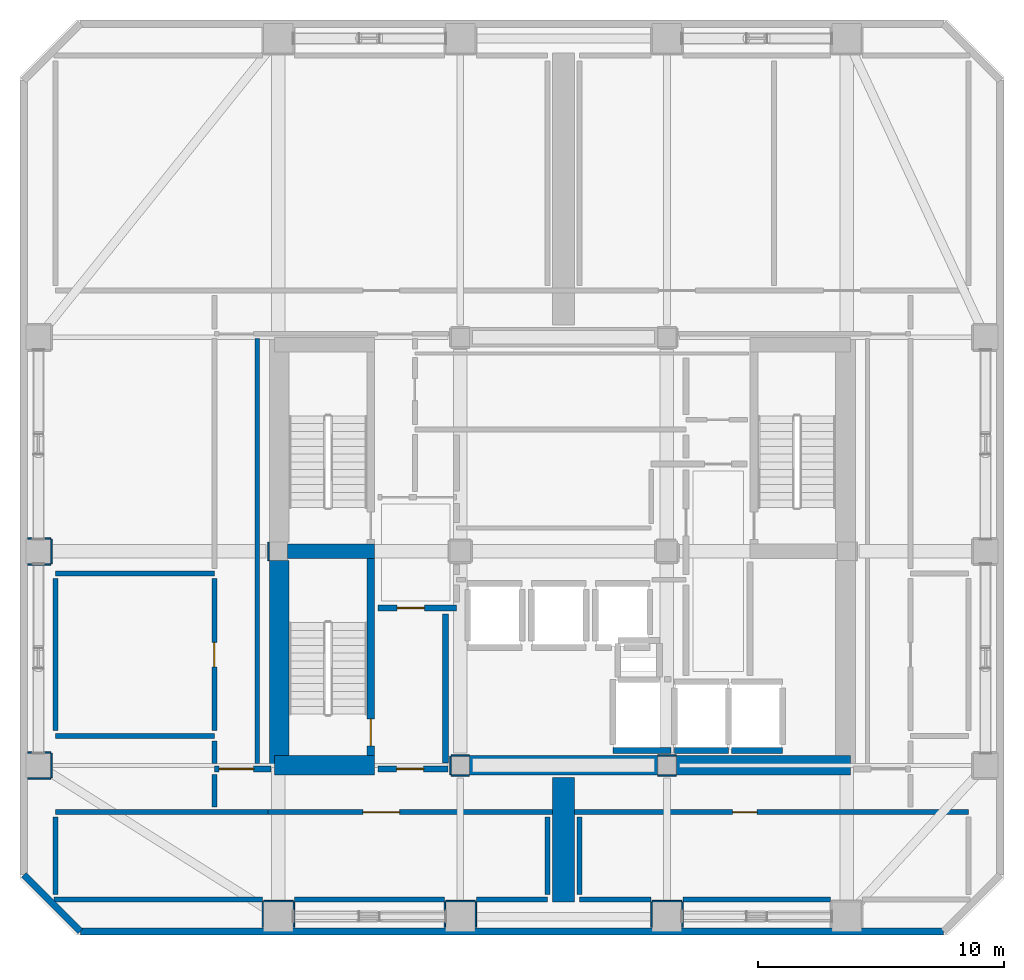
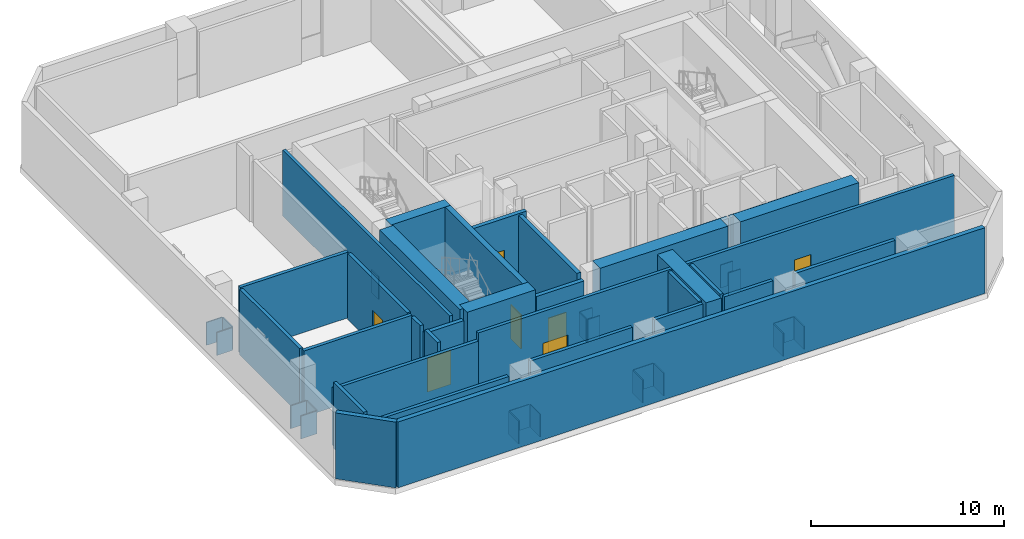
# One storey, part 8 of 12: 54 walls, 7 doors, 7 openings.
"""IFC4 building model written with IfcOpenShell, lengths in metres."""

from ifc_helpers import new_model, si_unit, direction, frame, frame_2d, origin, place, context, subcontext, project, spatial, rectangle, extrude, material, layer, layer_set, type_object, element, fill, save


model = new_model("IFC4")

# Units and contexts
model_context = context("Model", 3, precision=1e-05, world=origin(), true_north=direction((0.0, 1.0)))
body_context = subcontext(model_context, "Body", "Model", "MODEL_VIEW")
ifc_project = project(units=[si_unit("LENGTHUNIT", "METRE"), si_unit("AREAUNIT", "SQUARE_METRE"), si_unit("VOLUMEUNIT", "CUBIC_METRE"), si_unit("PLANEANGLEUNIT", "RADIAN"), si_unit("MASSUNIT", "GRAM", prefix="KILO")], contexts=[model_context])

# Site, building, storey
site_placement = place(None, origin())
site = spatial("IfcSite", under=ifc_project, at=site_placement, CompositionType="ELEMENT")
building_placement = place(site_placement, origin())
building = spatial("IfcBuilding", under=site, at=building_placement, Name="Solanera Arch Residences", CompositionType="ELEMENT")
storey_placement = place(building_placement, frame((0.0, 0.0, 172.47998046875)))
storey = spatial("IfcBuildingStorey", under=building, at=storey_placement, Name="L50", CompositionType="ELEMENT", Elevation=172.47998046875)

# Walls
ifc_material_1 = material(Name="Fire-Rated Gypsum Stud Partition", Category="gypsum")
ifc_layer_1 = layer(ifc_material_1, 0.06005859375)
ifc_layer_set_1 = layer_set([ifc_layer_1], Name="Fire-Rated Gypsum Stud Partition")
wall_type_1 = type_object("IfcWallType", Name="Column Acoustic Furring Wall 60", PredefinedType="PARTITIONING", material=ifc_layer_set_1)
for number, where, z_axis, x_axis, name in (
    (1, (20.425048828125, 21.593017578125, 0.0), (0.0, 0.0, 1.0), (1.0, 0.0, 0.0), "L50 Column Furring 1S"),
    (2, (20.425048828125, 22.406982421875, 0.0), (0.0, 0.0, 1.0), (1.0, 0.0, 0.0), "L50 Column Furring 1N"),
):
    element("IfcWall", number, at=place(storey_placement, frame(where, z_axis=z_axis, x_axis=x_axis)), inside=storey, type_object=wall_type_1, Name=name, PredefinedType="PARTITIONING", context=body_context, shape_type="SweptSolid", body=[
        extrude(rectangle(XDim=0.741943359375, YDim=0.06005859375, at=frame_2d((0.37109375, 0.0))), origin(), (0.0, 0.0, 1.0), 1.449951171875),
    ])
wall_1_placement = place(storey_placement, frame((20.39306640625, 21.625, 0.0), z_axis=(0.0, 0.0, 1.0), x_axis=(0.0, 1.0, 0.0)))
element("IfcWall", 3, at=wall_1_placement, inside=storey, type_object=wall_type_1, Name="L50 Column Furring 1W", PredefinedType="PARTITIONING", context=body_context, shape_type="SweptSolid", body=[
    extrude(rectangle(XDim=0.75, YDim=0.06005859375, at=frame_2d((0.375, 0.0))), origin(), (0.0, 0.0, 1.0), 1.449951171875),
])
for number, where, z_axis, x_axis, name in (
    (4, (28.8330078125, 21.593017578125, 0.0), (0.0, 0.0, 1.0), (1.0, 0.0, 0.0), "L50 Column Furring 2S"),
    (5, (28.8330078125, 22.406982421875, 0.0), (0.0, 0.0, 1.0), (1.0, 0.0, 0.0), "L50 Column Furring 2N"),
):
    element("IfcWall", number, at=place(storey_placement, frame(where, z_axis=z_axis, x_axis=x_axis)), inside=storey, type_object=wall_type_1, Name=name, PredefinedType="PARTITIONING", context=body_context, shape_type="SweptSolid", body=[
        extrude(rectangle(XDim=0.73388671875, YDim=0.06005859375, at=frame_2d((0.366943359375, 0.0))), origin(), (0.0, 0.0, 1.0), 1.449951171875),
    ])
wall_2_placement = place(storey_placement, frame((12.992919921875, 30.324951171875, 0.0), z_axis=(0.0, 0.0, 1.0), x_axis=(0.0, 1.0, 0.0)))
element("IfcWall", 6, at=wall_2_placement, inside=storey, type_object=wall_type_1, Name="L50 Column Furring 5W", PredefinedType="PARTITIONING", context=body_context, shape_type="SweptSolid", body=[
    extrude(rectangle(XDim=0.75, YDim=0.06005859375, at=frame_2d((0.375, 0.0))), origin(), (0.0, 0.0, 1.0), 1.449951171875),
])
wall_3_placement = place(storey_placement, frame((12.800048828125, 16.48193359375, 0.0), z_axis=(0.0, 0.0, 1.0), x_axis=(1.0, 0.0, 0.0)))
element("IfcWall", 7, at=wall_3_placement, inside=storey, type_object=wall_type_1, Name="L50 Column Furring 9N", PredefinedType="PARTITIONING", context=body_context, shape_type="SweptSolid", body=[
    extrude(rectangle(XDim=1.199951171875, YDim=0.06005859375, at=frame_2d((0.60009765625, 0.0))), origin(), (0.0, 0.0, 1.0), 1.449951171875),
])
for number, where, z_axis, x_axis, name in (
    (8, (12.76806640625, 15.409912109375, 0.0), (0.0, 0.0, 1.0), (0.0, 1.0, 0.0), "L50 Column Furring 9W"),
    (9, (14.031982421875, 15.409912109375, 0.0), (0.0, 0.0, 1.0), (0.0, 1.0, 0.0), "L50 Column Furring 9E"),
):
    element("IfcWall", number, at=place(storey_placement, frame(where, z_axis=z_axis, x_axis=x_axis)), inside=storey, type_object=wall_type_1, Name=name, PredefinedType="PARTITIONING", context=body_context, shape_type="SweptSolid", body=[
        extrude(rectangle(XDim=1.0400390625, YDim=0.06005859375, at=frame_2d((0.52001953125, 0.0))), origin(), (0.0, 0.0, 1.0), 1.449951171875),
    ])
wall_4_placement = place(storey_placement, frame((20.199951171875, 16.48193359375, 0.0), z_axis=(0.0, 0.0, 1.0), x_axis=(1.0, 0.0, 0.0)))
element("IfcWall", 10, at=wall_4_placement, inside=storey, type_object=wall_type_1, Name="L50 Column Furring 11N", PredefinedType="PARTITIONING", context=body_context, shape_type="SweptSolid", body=[
    extrude(rectangle(XDim=1.199951171875, YDim=0.06005859375, at=frame_2d((0.60009765625, 0.0))), origin(), (0.0, 0.0, 1.0), 1.449951171875),
])
for number, where, z_axis, x_axis, name in (
    (11, (20.16796875, 15.409912109375, 0.0), (0.0, 0.0, 1.0), (0.0, 1.0, 0.0), "L50 Column Furring 11W"),
    (12, (21.431884765625, 15.409912109375, 0.0), (0.0, 0.0, 1.0), (0.0, 1.0, 0.0), "L50 Column Furring 11E"),
):
    element("IfcWall", number, at=place(storey_placement, frame(where, z_axis=z_axis, x_axis=x_axis)), inside=storey, type_object=wall_type_1, Name=name, PredefinedType="PARTITIONING", context=body_context, shape_type="SweptSolid", body=[
        extrude(rectangle(XDim=1.0400390625, YDim=0.06005859375, at=frame_2d((0.52001953125, 0.0))), origin(), (0.0, 0.0, 1.0), 1.449951171875),
    ])
wall_5_placement = place(storey_placement, frame((28.60009765625, 16.48193359375, 0.0), z_axis=(0.0, 0.0, 1.0), x_axis=(1.0, 0.0, 0.0)))
element("IfcWall", 13, at=wall_5_placement, inside=storey, type_object=wall_type_1, Name="L50 Column Furring 13N", PredefinedType="PARTITIONING", context=body_context, shape_type="SweptSolid", body=[
    extrude(rectangle(XDim=1.199951171875, YDim=0.06005859375, at=frame_2d((0.60009765625, 0.0))), origin(), (0.0, 0.0, 1.0), 1.449951171875),
])
for number, where, z_axis, x_axis, name in (
    (14, (28.568115234375, 15.409912109375, 0.0), (0.0, 0.0, 1.0), (0.0, 1.0, 0.0), "L50 Column Furring 13W"),
    (15, (29.83203125, 15.409912109375, 0.0), (0.0, 0.0, 1.0), (0.0, 1.0, 0.0), "L50 Column Furring 13E"),
):
    element("IfcWall", number, at=place(storey_placement, frame(where, z_axis=z_axis, x_axis=x_axis)), inside=storey, type_object=wall_type_1, Name=name, PredefinedType="PARTITIONING", context=body_context, shape_type="SweptSolid", body=[
        extrude(rectangle(XDim=1.0400390625, YDim=0.06005859375, at=frame_2d((0.52001953125, 0.0))), origin(), (0.0, 0.0, 1.0), 1.449951171875),
    ])
for number, where, z_axis, x_axis, name in (
    (16, (3.2099609375, 21.468017578125, 0.0), (0.0, 0.0, 1.0), (1.0, 0.0, 0.0), "L50 Column Furring 17S"),
    (17, (3.2099609375, 22.531982421875, 0.0), (0.0, 0.0, 1.0), (1.0, 0.0, 0.0), "L50 Column Furring 17N"),
):
    element("IfcWall", number, at=place(storey_placement, frame(where, z_axis=z_axis, x_axis=x_axis)), inside=storey, type_object=wall_type_1, Name=name, PredefinedType="PARTITIONING", context=body_context, shape_type="SweptSolid", body=[
        extrude(rectangle(XDim=0.93994140625, YDim=0.06005859375, at=frame_2d((0.469970703125, 0.0))), origin(), (0.0, 0.0, 1.0), 1.449951171875),
    ])
wall_6_placement = place(storey_placement, frame((4.181884765625, 21.5, 0.0), z_axis=(0.0, 0.0, 1.0), x_axis=(0.0, 1.0, 0.0)))
element("IfcWall", 18, at=wall_6_placement, inside=storey, type_object=wall_type_1, Name="L50 Column Furring 17E", PredefinedType="PARTITIONING", context=body_context, shape_type="SweptSolid", body=[
    extrude(rectangle(XDim=1.0, YDim=0.06005859375, at=frame_2d((0.5, 0.0))), origin(), (0.0, 0.0, 1.0), 1.449951171875),
])
for number, where, z_axis, x_axis, name in (
    (19, (3.2099609375, 30.16796875, 0.0), (0.0, 0.0, 1.0), (1.0, 0.0, 0.0), "L50 Column Furring 19S"),
    (20, (3.2099609375, 31.23193359375, 0.0), (0.0, 0.0, 1.0), (1.0, 0.0, 0.0), "L50 Column Furring 19N"),
):
    element("IfcWall", number, at=place(storey_placement, frame(where, z_axis=z_axis, x_axis=x_axis)), inside=storey, type_object=wall_type_1, Name=name, PredefinedType="PARTITIONING", context=body_context, shape_type="SweptSolid", body=[
        extrude(rectangle(XDim=0.93994140625, YDim=0.06005859375, at=frame_2d((0.469970703125, 0.0))), origin(), (0.0, 0.0, 1.0), 1.449951171875),
    ])
wall_7_placement = place(storey_placement, frame((4.181884765625, 30.199951171875, 0.0), z_axis=(0.0, 0.0, 1.0), x_axis=(0.0, 1.0, 0.0)))
element("IfcWall", 21, at=wall_7_placement, inside=storey, type_object=wall_type_1, Name="L50 Column Furring 19E", PredefinedType="PARTITIONING", context=body_context, shape_type="SweptSolid", body=[
    extrude(rectangle(XDim=1.0, YDim=0.06005859375, at=frame_2d((0.5, 0.0))), origin(), (0.0, 0.0, 1.0), 1.449951171875),
])

# Wall, opening, door
ifc_material_2 = material(Name="Concrete C40/50 (f'c = 45 MPa)", Category="concrete")
ifc_layer_2 = layer(ifc_material_2, 0.320068359375)
ifc_layer_set_2 = layer_set([ifc_layer_2], Name="Concrete C40/50 (f'c = 45 MPa)")
wall_type_2 = type_object("IfcWallType", Name="Core Shear Wall CW-320", PredefinedType="SHEAR", material=ifc_layer_set_2)
wall_8_placement = place(storey_placement, frame((17.159912109375, 22.39990234375, 0.0), z_axis=(0.0, 0.0, 1.0), x_axis=(0.0, 1.0, 0.0)))
wall_8 = element("IfcWall", 22, at=wall_8_placement, inside=storey, type_object=wall_type_2, Name="L50 Stair ST-T3 East Shear Wall", PredefinedType="SHEAR", context=body_context, shape_type="SweptSolid", body=[
    extrude(rectangle(XDim=8.0, YDim=0.320068359375, at=frame_2d((4.0, 0.0))), origin(), (0.0, 0.0, 1.0), 4.39990234375),
])
opening_1_placement = place(wall_8_placement, frame((0.389892578125, 0.0, 0.0)))
opening_1 = element("IfcOpeningElement", 23, at=opening_1_placement, cuts=wall_8, Name="Opening DF-01", PredefinedType="OPENING", context=body_context, shape_type="SweptSolid", body=[
    extrude(rectangle(XDim=1.10009765625, YDim=2.14990234375, at=frame_2d((0.550048828125, 1.074951171875))), frame((0.0, 0.169921875, 0.0), z_axis=(0.0, -1.0, 0.0), x_axis=(1.0, 0.0, 0.0)), (0.0, 0.0, 1.0), 0.3401),
])
ifc_material_3 = material(Name="Fire-Rated Architectural Hardwood", Category="wood")
door_type_1 = type_object("IfcDoorType", Name="Stair Exit Fire Door DF-01", OperationType="NOTDEFINED", PredefinedType="DOOR", material=ifc_material_3)
door_1_placement = place(opening_1_placement, origin())
door_1 = element("IfcDoor", 24, at=door_1_placement, inside=storey, type_object=door_type_1, Name="DR-L50-STAIR-ST-T3", OperationType="SINGLE_SWING_RIGHT", OverallHeight=2.14990234375, OverallWidth=1.10009765625, PredefinedType="DOOR", context=body_context, shape_type="SweptSolid", body=[
    extrude(rectangle(XDim=1.10009765625, YDim=2.14990234375, at=frame_2d((0.550048828125, 1.074951171875))), frame((0.0, 0.02490234375, 0.0), z_axis=(0.0, -1.0, 0.0), x_axis=(1.0, 0.0, 0.0)), (0.0, 0.0, 1.0), 0.050048828125),
])
fill(opening_1, door_1)

# Walls
ifc_material_4 = material(Name="Concrete C40/50 (f'c = 45 MPa)", Category="concrete")
ifc_layer_3 = layer(ifc_material_4, 0.60009765625)
ifc_layer_set_3 = layer_set([ifc_layer_3], Name="Concrete C40/50 (f'c = 45 MPa)")
wall_type_3 = type_object("IfcWallType", Name="Core Shear Wall CW-600", PredefinedType="SHEAR", material=ifc_layer_set_3)
wall_9_placement = place(storey_placement, frame((13.780029296875, 30.699951171875, 0.0), z_axis=(0.0, 0.0, 1.0), x_axis=(1.0, 0.0, 0.0)))
element("IfcWall", 25, at=wall_9_placement, inside=storey, type_object=wall_type_3, Name="L50 West Stair Divider Shear Wall", PredefinedType="SHEAR", context=body_context, shape_type="SweptSolid", body=[
    extrude(rectangle(XDim=3.5400390625, YDim=0.60009765625, at=frame_2d((1.77001953125, 0.0))), origin(), (0.0, 0.0, 1.0), 4.39990234375),
])
ifc_material_5 = material(Name="Concrete C40/50 (f'c = 45 MPa)", Category="concrete")
ifc_layer_4 = layer(ifc_material_5, 0.800048828125)
ifc_layer_set_4 = layer_set([ifc_layer_4], Name="Concrete C40/50 (f'c = 45 MPa)")
wall_type_4 = type_object("IfcWallType", Name="Core Shear Wall CW-800", PredefinedType="SHEAR", material=ifc_layer_set_4)
wall_10_placement = place(storey_placement, frame((13.43994140625, 22.0, 0.0), z_axis=(0.0, 0.0, 1.0), x_axis=(0.0, 1.0, 0.0)))
element("IfcWall", 26, at=wall_10_placement, inside=storey, type_object=wall_type_4, Name="L50 West Core South Shear Wall", PredefinedType="SHEAR", context=body_context, shape_type="SweptSolid", body=[
    extrude(rectangle(XDim=8.320068359375, YDim=0.800048828125, at=frame_2d((4.16015625, 0.0))), origin(), (0.0, 0.0, 1.0), 4.39990234375),
])
wall_11_placement = place(storey_placement, frame((13.239990234375, 22.0, 0.0), z_axis=(0.0, 0.0, 1.0), x_axis=(1.0, 0.0, 0.0)))
element("IfcWall", 27, at=wall_11_placement, inside=storey, type_object=wall_type_4, Name="L50 South-West Core Shear Wall", PredefinedType="SHEAR", context=body_context, shape_type="SweptSolid", body=[
    extrude(rectangle(XDim=4.080078125, YDim=0.800048828125, at=frame_2d((2.0400390625, 0.0))), origin(), (0.0, 0.0, 1.0), 4.39990234375),
])
wall_12_placement = place(storey_placement, frame((29.580078125, 22.0, 0.0), z_axis=(0.0, 0.0, 1.0), x_axis=(1.0, 0.0, 0.0)))
element("IfcWall", 28, at=wall_12_placement, inside=storey, type_object=wall_type_4, Name="L50 South-East Core Shear Wall", PredefinedType="SHEAR", context=body_context, shape_type="SweptSolid", body=[
    extrude(rectangle(XDim=7.079833984375, YDim=0.800048828125, at=frame_2d((3.5400390625, 0.0))), origin(), (0.0, 0.0, 1.0), 4.39990234375),
])
wall_13_placement = place(storey_placement, frame((21.179931640625, 22.0, 0.0), z_axis=(0.0, 0.0, 1.0), x_axis=(1.0, 0.0, 0.0)))
element("IfcWall", 29, at=wall_13_placement, inside=storey, type_object=wall_type_4, Name="L50 Central South Core Shear Wall", PredefinedType="SHEAR", context=body_context, shape_type="SweptSolid", body=[
    extrude(rectangle(XDim=7.64013671875, YDim=0.800048828125, at=frame_2d((3.820068359375, 0.0))), origin(), (0.0, 0.0, 1.0), 4.39990234375),
])
ifc_material_6 = material(Name="Concrete C55/67 (f'c = 60 MPa)", Category="concrete")
ifc_layer_5 = layer(ifc_material_6, 0.89990234375)
ifc_layer_set_5 = layer_set([ifc_layer_5], Name="Concrete C55/67 (f'c = 60 MPa)")
wall_type_5 = type_object("IfcWallType", Name="Core Shear Wall Outrigger OW-900", PredefinedType="SHEAR", material=ifc_layer_set_5)
wall_14_placement = place(storey_placement, frame((25.0, 16.449951171875, 0.0), z_axis=(0.0, 0.0, 1.0), x_axis=(0.0, 1.0, 0.0)))
element("IfcWall", 30, at=wall_14_placement, inside=storey, type_object=wall_type_5, Name="L50 South Outrigger Shear Wall", PredefinedType="SHEAR", context=body_context, shape_type="SweptSolid", body=[
    extrude(rectangle(XDim=5.050048828125, YDim=0.89990234375, at=frame_2d((2.52490234375, 0.0))), origin(), (0.0, 0.0, 1.0), 4.159912109375),
])
ifc_material_7 = material(Name="Autoclaved Aerated Concrete Blockwork", Category="masonry")
ifc_layer_6 = layer(ifc_material_7, 0.179931640625)
ifc_layer_set_6 = layer_set([ifc_layer_6], Name="Autoclaved Aerated Concrete Blockwork")
wall_type_6 = type_object("IfcWallType", Name="Corridor Fire Partition 180", PredefinedType="PARTITIONING", material=ifc_layer_set_6)
wall_15_placement = place(storey_placement, frame((12.550048828125, 22.068115234375, 0.0), z_axis=(0.0, 0.0, 1.0), x_axis=(0.0, 1.0, 0.0)))
element("IfcWall", 31, at=wall_15_placement, inside=storey, type_object=wall_type_6, Name="L50 Interior Partition V20", PredefinedType="PARTITIONING", context=body_context, shape_type="SweptSolid", body=[
    extrude(rectangle(XDim=17.2939453125, YDim=0.179931640625, at=frame_2d((8.64697265625, 0.0))), origin(), (0.0, 0.0, 1.0), 4.159912109375),
])
ifc_material_8 = material(Name="Precast Concrete C35/45", Category="concrete")
ifc_layer_7 = layer(ifc_material_8, 0.280029296875)
ifc_layer_set_7 = layer_set([ifc_layer_7], Name="Precast Concrete C35/45")
wall_type_7 = type_object("IfcWallType", Name="Exterior Wall Precast Masonry-Frame 280", PredefinedType="STANDARD", material=ifc_layer_set_7)
wall_16_placement = place(storey_placement, frame((40.445068359375, 15.2548828125, 0.0), z_axis=(0.0, 0.0, 1.0), x_axis=(-1.0, 0.0, 0.0)))
element("IfcWall", 32, at=wall_16_placement, inside=storey, type_object=wall_type_7, Name="L50 Tower Exterior Precast Masonry-Frame Wall S", PredefinedType="STANDARD", context=body_context, shape_type="SweptSolid", body=[
    extrude(rectangle(XDim=35.090087890625, YDim=0.280029296875, at=frame_2d((17.544921875, 0.0))), origin(), (0.0, 0.0, 1.0), 4.159912109375),
])
wall_17_placement = place(storey_placement, frame((5.35498046875, 15.2548828125, 0.0), z_axis=(0.0, 0.0, 1.0), x_axis=(-0.707106781187, 0.707106781187, 0.0)))
element("IfcWall", 33, at=wall_17_placement, inside=storey, type_object=wall_type_7, Name="L50 Tower Exterior Precast Masonry-Frame Wall CH7", PredefinedType="STANDARD", context=body_context, shape_type="SweptSolid", body=[
    extrude(rectangle(XDim=3.252685546875, YDim=0.280029296875, at=frame_2d((1.62646484375, 0.0))), origin(), (0.0, 0.0, 1.0), 4.159912109375),
])
ifc_material_9 = material(Name="Autoclaved Aerated Concrete Blockwork", Category="masonry")
ifc_layer_8 = layer(ifc_material_9, 0.199951171875)
ifc_layer_set_8 = layer_set([ifc_layer_8], Name="Autoclaved Aerated Concrete Blockwork")
wall_type_8 = type_object("IfcWallType", Name="Party Wall Acoustic 200", PredefinedType="PARTITIONING", material=ifc_layer_set_8)
wall_18_placement = place(storey_placement, frame((4.27490234375, 16.550048828125, 0.0), z_axis=(0.0, 0.0, 1.0), x_axis=(1.0, 0.0, 0.0)))
element("IfcWall", 34, at=wall_18_placement, inside=storey, type_object=wall_type_8, Name="L50 Interior Partition H6 1", PredefinedType="PARTITIONING", context=body_context, shape_type="SweptSolid", body=[
    extrude(rectangle(XDim=8.47509765625, YDim=0.199951171875, at=frame_2d((4.237548828125, 0.0))), origin(), (0.0, 0.0, 1.0), 3.64501953125),
])
wall_19_placement = place(storey_placement, frame((14.050048828125, 16.550048828125, 0.0), z_axis=(0.0, 0.0, 1.0), x_axis=(1.0, 0.0, 0.0)))
element("IfcWall", 35, at=wall_19_placement, inside=storey, type_object=wall_type_8, Name="L50 Interior Partition H6 2", PredefinedType="PARTITIONING", context=body_context, shape_type="SweptSolid", body=[
    extrude(rectangle(XDim=6.099853515625, YDim=0.199951171875, at=frame_2d((3.0498046875, 0.0))), origin(), (0.0, 0.0, 1.0), 4.159912109375),
])
for number, where, z_axis, x_axis, name in (
    (36, (21.449951171875, 16.550048828125, 0.0), (0.0, 0.0, 1.0), (1.0, 0.0, 0.0), "L50 Interior Partition H6 3"),
    (37, (25.64990234375, 16.550048828125, 0.0), (0.0, 0.0, 1.0), (1.0, 0.0, 0.0), "L50 Interior Partition H7 1"),
):
    element("IfcWall", number, at=place(storey_placement, frame(where, z_axis=z_axis, x_axis=x_axis)), inside=storey, type_object=wall_type_8, Name=name, PredefinedType="PARTITIONING", context=body_context, shape_type="SweptSolid", body=[
        extrude(rectangle(XDim=2.900146484375, YDim=0.199951171875, at=frame_2d((1.4501953125, 0.0))), origin(), (0.0, 0.0, 1.0), 4.159912109375),
    ])
wall_20_placement = place(storey_placement, frame((29.85009765625, 16.550048828125, 0.0), z_axis=(0.0, 0.0, 1.0), x_axis=(1.0, 0.0, 0.0)))
element("IfcWall", 38, at=wall_20_placement, inside=storey, type_object=wall_type_8, Name="L50 Interior Partition H7 2", PredefinedType="PARTITIONING", context=body_context, shape_type="SweptSolid", body=[
    extrude(rectangle(XDim=6.0, YDim=0.199951171875, at=frame_2d((3.0, 0.0))), origin(), (0.0, 0.0, 1.0), 4.159912109375),
])
wall_21_placement = place(storey_placement, frame((4.35009765625, 20.10009765625, 0.0), z_axis=(0.0, 0.0, 1.0), x_axis=(1.0, 0.0, 0.0)))
element("IfcWall", 39, at=wall_21_placement, inside=storey, type_object=wall_type_8, Name="L50 Interior Partition H8 1", PredefinedType="PARTITIONING", context=body_context, shape_type="SweptSolid", body=[
    extrude(rectangle(XDim=8.6328125, YDim=0.199951171875, at=frame_2d((4.31640625, 0.0))), origin(), (0.0, 0.0, 1.0), 3.64501953125),
])

# Wall, openings, doors
wall_22_placement = place(storey_placement, frame((12.98291015625, 20.10009765625, 0.0), z_axis=(0.0, 0.0, 1.0), x_axis=(1.0, 0.0, 0.0)))
wall_22 = element("IfcWall", 40, at=wall_22_placement, inside=storey, type_object=wall_type_8, Name="L50 Interior Partition H8 2", PredefinedType="PARTITIONING", context=body_context, shape_type="SweptSolid", body=[
    extrude(rectangle(XDim=28.467041015625, YDim=0.199951171875, at=frame_2d((14.2333984375, 0.0))), origin(), (0.0, 0.0, 1.0), 4.159912109375),
])
opening_2_placement = place(wall_22_placement, frame((18.882080078125, 0.0, 0.0)))
opening_2 = element("IfcOpeningElement", 41, at=opening_2_placement, cuts=wall_22, Name="Opening DI-01", PredefinedType="OPENING", context=body_context, shape_type="SweptSolid", body=[
    extrude(rectangle(XDim=1.0, YDim=2.14990234375, at=frame_2d((0.5, 1.074951171875))), frame((0.0, 0.110107421875, 0.0), z_axis=(0.0, -1.0, 0.0), x_axis=(1.0, 0.0, 0.0)), (0.0, 0.0, 1.0), 0.22),
])
opening_3_placement = place(wall_22_placement, frame((3.85205078125, 0.0, 0.0)))
opening_3 = element("IfcOpeningElement", 42, at=opening_3_placement, cuts=wall_22, Name="Opening DP-01", PredefinedType="OPENING", context=body_context, shape_type="SweptSolid", body=[
    extrude(rectangle(XDim=1.5, YDim=2.14990234375, at=frame_2d((0.75, 1.074951171875))), frame((0.0, 0.110107421875, 0.0), z_axis=(0.0, -1.0, 0.0), x_axis=(1.0, 0.0, 0.0)), (0.0, 0.0, 1.0), 0.22),
])
ifc_material_10 = material(Name="Fire-Rated Architectural Hardwood", Category="wood")
door_type_2 = type_object("IfcDoorType", Name="Plant Double Fire Door DP-01", OperationType="NOTDEFINED", PredefinedType="DOOR", material=ifc_material_10)
door_2_placement = place(opening_3_placement, origin())
door_2 = element("IfcDoor", 43, at=door_2_placement, inside=storey, type_object=door_type_2, Name="DR-L50-IN-022", OperationType="SINGLE_SWING_LEFT", OverallHeight=2.14990234375, OverallWidth=1.5, PredefinedType="DOOR", context=body_context, shape_type="SweptSolid", body=[
    extrude(rectangle(XDim=1.5, YDim=2.14990234375, at=frame_2d((0.75, 1.074951171875))), frame((0.0, 0.02490234375, 0.0), z_axis=(0.0, -1.0, 0.0), x_axis=(1.0, 0.0, 0.0)), (0.0, 0.0, 1.0), 0.050048828125),
])
fill(opening_3, door_2)
ifc_material_11 = material(Name="Fire-Rated Architectural Hardwood", Category="wood")
door_type_3 = type_object("IfcDoorType", Name="Unit Entrance Fire Door DI-01", OperationType="NOTDEFINED", PredefinedType="DOOR", material=ifc_material_11)
door_3_placement = place(opening_2_placement, origin())
door_3 = element("IfcDoor", 44, at=door_3_placement, inside=storey, type_object=door_type_3, Name="DR-L50-IN-019", OperationType="SINGLE_SWING_RIGHT", OverallHeight=2.14990234375, OverallWidth=1.0, PredefinedType="DOOR", context=body_context, shape_type="SweptSolid", body=[
    extrude(rectangle(XDim=1.0, YDim=2.14990234375, at=frame_2d((0.5, 1.074951171875))), frame((0.0, 0.02490234375, 0.0), z_axis=(0.0, -1.0, 0.0), x_axis=(1.0, 0.0, 0.0)), (0.0, 0.0, 1.0), 0.050048828125),
])
fill(opening_2, door_3)

# Walls
for number, where, z_axis, x_axis, name in (
    (45, (4.35009765625, 23.199951171875, 0.0), (0.0, 0.0, 1.0), (1.0, 0.0, 0.0), "L50 Interior Partition H9"),
    (46, (4.35009765625, 29.800048828125, 0.0), (0.0, 0.0, 1.0), (1.0, 0.0, 0.0), "L50 Interior Partition H11"),
):
    element("IfcWall", number, at=place(storey_placement, frame(where, z_axis=z_axis, x_axis=x_axis)), inside=storey, type_object=wall_type_8, Name=name, PredefinedType="PARTITIONING", context=body_context, shape_type="SweptSolid", body=[
        extrude(rectangle(XDim=6.449951171875, YDim=0.199951171875, at=frame_2d((3.22509765625, 0.0))), origin(), (0.0, 0.0, 1.0), 4.159912109375),
    ])
wall_23_placement = place(storey_placement, frame((4.35009765625, 16.758056640625, 0.0), z_axis=(0.0, 0.0, 1.0), x_axis=(0.0, 1.0, 0.0)))
element("IfcWall", 47, at=wall_23_placement, inside=storey, type_object=wall_type_8, Name="L50 Interior Partition V6", PredefinedType="PARTITIONING", context=body_context, shape_type="SweptSolid", body=[
    extrude(rectangle(XDim=3.134033203125, YDim=0.199951171875, at=frame_2d((1.56689453125, 0.0))), origin(), (0.0, 0.0, 1.0), 4.159912109375),
])
wall_24_placement = place(storey_placement, frame((4.35009765625, 23.407958984375, 0.0), z_axis=(0.0, 0.0, 1.0), x_axis=(0.0, 1.0, 0.0)))
element("IfcWall", 48, at=wall_24_placement, inside=storey, type_object=wall_type_8, Name="L50 Interior Partition V7", PredefinedType="PARTITIONING", context=body_context, shape_type="SweptSolid", body=[
    extrude(rectangle(XDim=6.18408203125, YDim=0.199951171875, at=frame_2d((3.092041015625, 0.0))), origin(), (0.0, 0.0, 1.0), 4.159912109375),
])
wall_25_placement = place(storey_placement, frame((10.800048828125, 20.30810546875, 0.0), z_axis=(0.0, 0.0, 1.0), x_axis=(0.0, 1.0, 0.0)))
element("IfcWall", 49, at=wall_25_placement, inside=storey, type_object=wall_type_8, Name="L50 Interior Partition V9 1", PredefinedType="PARTITIONING", context=body_context, shape_type="SweptSolid", body=[
    extrude(rectangle(XDim=1.31396484375, YDim=0.199951171875, at=frame_2d((0.656982421875, 0.0))), origin(), (0.0, 0.0, 1.0), 4.159912109375),
])
wall_26_placement = place(storey_placement, frame((10.800048828125, 22.077880859375, 0.0), z_axis=(0.0, 0.0, 1.0), x_axis=(0.0, 1.0, 0.0)))
element("IfcWall", 50, at=wall_26_placement, inside=storey, type_object=wall_type_8, Name="L50 Interior Partition V9 2", PredefinedType="PARTITIONING", context=body_context, shape_type="SweptSolid", body=[
    extrude(rectangle(XDim=0.9140625, YDim=0.199951171875, at=frame_2d((0.45703125, 0.0))), origin(), (0.0, 0.0, 1.0), 4.159912109375),
])

# Wall, opening, door
wall_27_placement = place(storey_placement, frame((10.800048828125, 23.407958984375, 0.0), z_axis=(0.0, 0.0, 1.0), x_axis=(0.0, 1.0, 0.0)))
wall_27 = element("IfcWall", 51, at=wall_27_placement, inside=storey, type_object=wall_type_8, Name="L50 Interior Partition V9 3", PredefinedType="PARTITIONING", context=body_context, shape_type="SweptSolid", body=[
    extrude(rectangle(XDim=6.18408203125, YDim=0.199951171875, at=frame_2d((3.092041015625, 0.0))), origin(), (0.0, 0.0, 1.0), 4.159912109375),
])
opening_4_placement = place(wall_27_placement, frame((2.592041015625, 0.0, 0.0)))
opening_4 = element("IfcOpeningElement", 52, at=opening_4_placement, cuts=wall_27, Name="Opening DI-01", PredefinedType="OPENING", context=body_context, shape_type="SweptSolid", body=[
    extrude(rectangle(XDim=1.0, YDim=2.14990234375, at=frame_2d((0.5, 1.074951171875))), frame((0.0, 0.110107421875, 0.0), z_axis=(0.0, -1.0, 0.0), x_axis=(1.0, 0.0, 0.0)), (0.0, 0.0, 1.0), 0.22),
])
door_4_placement = place(opening_4_placement, origin())
door_4 = element("IfcDoor", 53, at=door_4_placement, inside=storey, type_object=door_type_3, Name="DR-L50-IN-017", OperationType="SINGLE_SWING_RIGHT", OverallHeight=2.14990234375, OverallWidth=1.0, PredefinedType="DOOR", context=body_context, shape_type="SweptSolid", body=[
    extrude(rectangle(XDim=1.0, YDim=2.14990234375, at=frame_2d((0.5, 1.074951171875))), frame((0.0, 0.02490234375, 0.0), z_axis=(0.0, -1.0, 0.0), x_axis=(1.0, 0.0, 0.0)), (0.0, 0.0, 1.0), 0.050048828125),
])
fill(opening_4, door_4)

# Walls
for number, where, z_axis, x_axis, name in (
    (54, (24.35009765625, 16.758056640625, 0.0), (0.0, 0.0, 1.0), (0.0, 1.0, 0.0), "L50 Interior Partition V11"),
    (55, (25.64990234375, 16.758056640625, 0.0), (0.0, 0.0, 1.0), (0.0, 1.0, 0.0), "L50 Interior Partition V13"),
):
    element("IfcWall", number, at=place(storey_placement, frame(where, z_axis=z_axis, x_axis=x_axis)), inside=storey, type_object=wall_type_8, Name=name, PredefinedType="PARTITIONING", context=body_context, shape_type="SweptSolid", body=[
        extrude(rectangle(XDim=3.134033203125, YDim=0.199951171875, at=frame_2d((1.56689453125, 0.0))), origin(), (0.0, 0.0, 1.0), 4.159912109375),
    ])
ifc_material_12 = material(Name="Autoclaved Aerated Concrete Blockwork", Category="masonry")
ifc_layer_9 = layer(ifc_material_12, 0.239990234375)
ifc_layer_set_9 = layer_set([ifc_layer_9], Name="Autoclaved Aerated Concrete Blockwork")
wall_type_9 = type_object("IfcWallType", Name="Shaft Wall Fire-Rated 240", PredefinedType="PARTITIONING", material=ifc_layer_set_9)
wall_28_placement = place(storey_placement, frame((29.5, 22.60009765625, 0.0), z_axis=(0.0, 0.0, 1.0), x_axis=(1.0, 0.0, 0.0)))
element("IfcWall", 56, at=wall_28_placement, inside=storey, type_object=wall_type_9, Name="L50 Lift FFL-1 Hoistway Wall S", PredefinedType="PARTITIONING", context=body_context, shape_type="SweptSolid", body=[
    extrude(rectangle(XDim=2.199951171875, YDim=0.239990234375, at=frame_2d((1.10009765625, 0.0))), origin(), (0.0, 0.0, 1.0), 4.159912109375),
])
wall_29_placement = place(storey_placement, frame((31.827880859375, 22.60009765625, 0.0), z_axis=(0.0, 0.0, 1.0), x_axis=(1.0, 0.0, 0.0)))
element("IfcWall", 57, at=wall_29_placement, inside=storey, type_object=wall_type_9, Name="L50 Lift FFL-2 Hoistway Wall S", PredefinedType="PARTITIONING", context=body_context, shape_type="SweptSolid", body=[
    extrude(rectangle(XDim=2.072021484375, YDim=0.239990234375, at=frame_2d((1.0361328125, 0.0))), origin(), (0.0, 0.0, 1.0), 4.159912109375),
])
wall_30_placement = place(storey_placement, frame((27.0, 22.60009765625, 0.0), z_axis=(0.0, 0.0, 1.0), x_axis=(1.0, 0.0, 0.0)))
element("IfcWall", 58, at=wall_30_placement, inside=storey, type_object=wall_type_9, Name="L50 Lift SVL-1 Hoistway Wall S", PredefinedType="PARTITIONING", context=body_context, shape_type="SweptSolid", body=[
    extrude(rectangle(XDim=2.3720703125, YDim=0.239990234375, at=frame_2d((1.18603515625, 0.0))), origin(), (0.0, 0.0, 1.0), 4.159912109375),
])

# Wall, opening, door
wall_31_placement = place(storey_placement, frame((10.800048828125, 21.85009765625, 0.0), z_axis=(0.0, 0.0, 1.0), x_axis=(1.0, 0.0, 0.0)))
wall_31 = element("IfcWall", 59, at=wall_31_placement, inside=storey, type_object=wall_type_9, Name="L50 Interior Partition H1 1", PredefinedType="PARTITIONING", context=body_context, shape_type="SweptSolid", body=[
    extrude(rectangle(XDim=2.31005859375, YDim=0.239990234375, at=frame_2d((1.155029296875, 0.0))), origin(), (0.0, 0.0, 1.0), 3.842041015625),
])
opening_5_placement = place(wall_31_placement, frame((0.198974609375, 0.0, 0.0)))
opening_5 = element("IfcOpeningElement", 60, at=opening_5_placement, cuts=wall_31, Name="Opening DF-03", PredefinedType="OPENING", context=body_context, shape_type="SweptSolid", body=[
    extrude(rectangle(XDim=1.39990234375, YDim=2.14990234375, at=frame_2d((0.699951171875, 1.074951171875))), frame((0.0, 0.1298828125, 0.0), z_axis=(0.0, -1.0, 0.0), x_axis=(1.0, 0.0, 0.0)), (0.0, 0.0, 1.0), 0.26),
])
ifc_material_13 = material(Name="Fire-Rated Architectural Hardwood", Category="wood")
door_type_4 = type_object("IfcDoorType", Name="Corridor Smoke Door DF-03", OperationType="NOTDEFINED", PredefinedType="DOOR", material=ifc_material_13)
door_5_placement = place(opening_5_placement, origin())
door_5 = element("IfcDoor", 61, at=door_5_placement, inside=storey, type_object=door_type_4, Name="DR-L50-IN-010", OperationType="SINGLE_SWING_LEFT", OverallHeight=2.14990234375, OverallWidth=1.39990234375, PredefinedType="DOOR", context=body_context, shape_type="SweptSolid", body=[
    extrude(rectangle(XDim=1.39990234375, YDim=2.14990234375, at=frame_2d((0.699951171875, 1.074951171875))), frame((0.0, 0.02490234375, 0.0), z_axis=(0.0, -1.0, 0.0), x_axis=(1.0, 0.0, 0.0)), (0.0, 0.0, 1.0), 0.050048828125),
])
fill(opening_5, door_5)

wall_32_placement = place(storey_placement, frame((17.449951171875, 21.85009765625, 0.0), z_axis=(0.0, 0.0, 1.0), x_axis=(1.0, 0.0, 0.0)))
wall_32 = element("IfcWall", 62, at=wall_32_placement, inside=storey, type_object=wall_type_9, Name="L50 Interior Partition H1 2", PredefinedType="PARTITIONING", context=body_context, shape_type="SweptSolid", body=[
    extrude(rectangle(XDim=2.843017578125, YDim=0.239990234375, at=frame_2d((1.42138671875, 0.0))), origin(), (0.0, 0.0, 1.0), 3.842041015625),
])
opening_6_placement = place(wall_32_placement, frame((0.760009765625, 0.0, 0.0)))
opening_6 = element("IfcOpeningElement", 63, at=opening_6_placement, cuts=wall_32, Name="Opening DF-02", PredefinedType="OPENING", context=body_context, shape_type="SweptSolid", body=[
    extrude(rectangle(XDim=1.10009765625, YDim=2.14990234375, at=frame_2d((0.550048828125, 1.074951171875))), frame((0.0, 0.1298828125, 0.0), z_axis=(0.0, -1.0, 0.0), x_axis=(1.0, 0.0, 0.0)), (0.0, 0.0, 1.0), 0.26),
])
ifc_material_14 = material(Name="Fire-Rated Architectural Hardwood", Category="wood")
door_type_5 = type_object("IfcDoorType", Name="Firefighting Lobby Fire Door DF-02", OperationType="NOTDEFINED", PredefinedType="DOOR", material=ifc_material_14)
door_6_placement = place(opening_6_placement, origin())
door_6 = element("IfcDoor", 64, at=door_6_placement, inside=storey, type_object=door_type_5, Name="DR-L50-IN-008", OperationType="SINGLE_SWING_LEFT", OverallHeight=2.14990234375, OverallWidth=1.10009765625, PredefinedType="DOOR", context=body_context, shape_type="SweptSolid", body=[
    extrude(rectangle(XDim=1.10009765625, YDim=2.14990234375, at=frame_2d((0.550048828125, 1.074951171875))), frame((0.0, 0.02490234375, 0.0), z_axis=(0.0, -1.0, 0.0), x_axis=(1.0, 0.0, 0.0)), (0.0, 0.0, 1.0), 0.050048828125),
])
fill(opening_6, door_6)

wall_33_placement = place(storey_placement, frame((17.449951171875, 28.39990234375, 0.0), z_axis=(0.0, 0.0, 1.0), x_axis=(1.0, 0.0, 0.0)))
wall_33 = element("IfcWall", 65, at=wall_33_placement, inside=storey, type_object=wall_type_9, Name="L50 Interior Partition H3", PredefinedType="PARTITIONING", context=body_context, shape_type="SweptSolid", body=[
    extrude(rectangle(XDim=3.199951171875, YDim=0.239990234375, at=frame_2d((1.60009765625, 0.0))), origin(), (0.0, 0.0, 1.0), 4.159912109375),
])
opening_7_placement = place(wall_33_placement, frame((0.783935546875, 0.0, 0.0)))
opening_7 = element("IfcOpeningElement", 66, at=opening_7_placement, cuts=wall_33, Name="Opening DF-02", PredefinedType="OPENING", context=body_context, shape_type="SweptSolid", body=[
    extrude(rectangle(XDim=1.10009765625, YDim=2.14990234375, at=frame_2d((0.550048828125, 1.074951171875))), frame((0.0, 0.1298828125, 0.0), z_axis=(0.0, -1.0, 0.0), x_axis=(1.0, 0.0, 0.0)), (0.0, 0.0, 1.0), 0.26),
])
door_7_placement = place(opening_7_placement, origin())
door_7 = element("IfcDoor", 67, at=door_7_placement, inside=storey, type_object=door_type_5, Name="DR-L50-IN-004", OperationType="SINGLE_SWING_LEFT", OverallHeight=2.14990234375, OverallWidth=1.10009765625, PredefinedType="DOOR", context=body_context, shape_type="SweptSolid", body=[
    extrude(rectangle(XDim=1.10009765625, YDim=2.14990234375, at=frame_2d((0.550048828125, 1.074951171875))), frame((0.0, 0.02490234375, 0.0), z_axis=(0.0, -1.0, 0.0), x_axis=(1.0, 0.0, 0.0)), (0.0, 0.0, 1.0), 0.050048828125),
])
fill(opening_7, door_7)

# Wall
wall_34_placement = place(storey_placement, frame((20.199951171875, 22.097900390625, 0.0), z_axis=(0.0, 0.0, 1.0), x_axis=(0.0, 1.0, 0.0)))
element("IfcWall", 68, at=wall_34_placement, inside=storey, type_object=wall_type_9, Name="L50 Interior Partition V2", PredefinedType="PARTITIONING", context=body_context, shape_type="SweptSolid", body=[
    extrude(rectangle(XDim=6.05419921875, YDim=0.239990234375, at=frame_2d((3.027099609375, 0.0))), origin(), (0.0, 0.0, 1.0), 4.159912109375),
])

save(model, "model.ifc")
